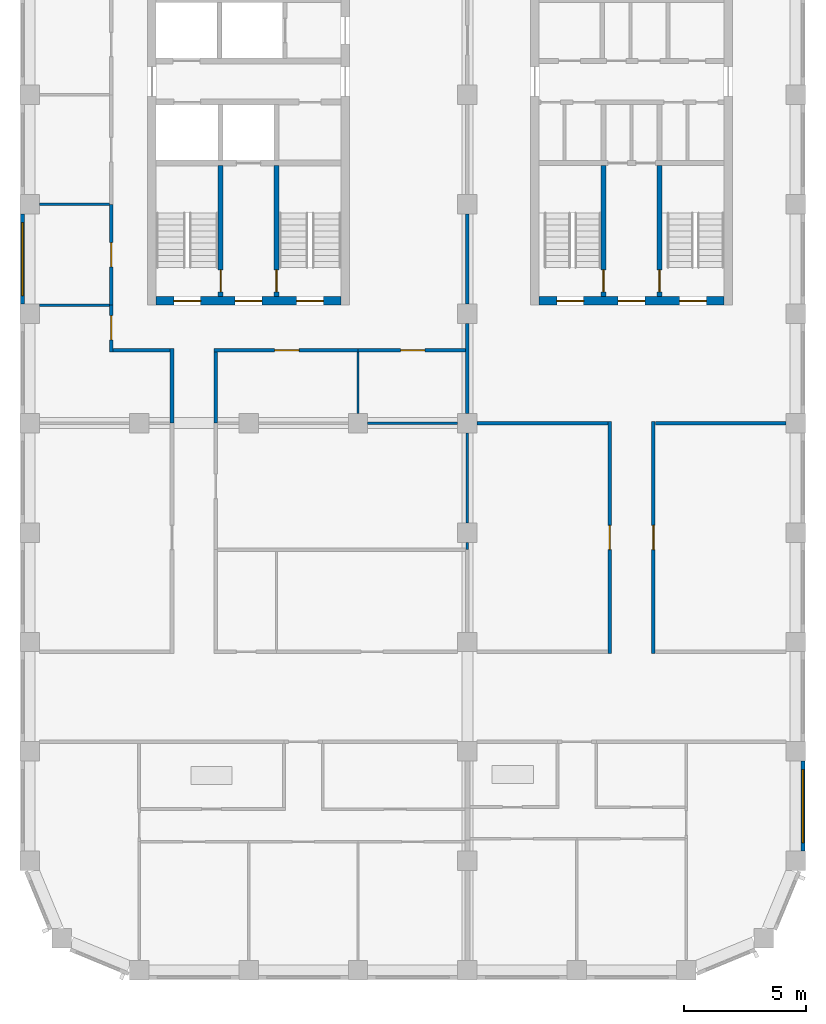
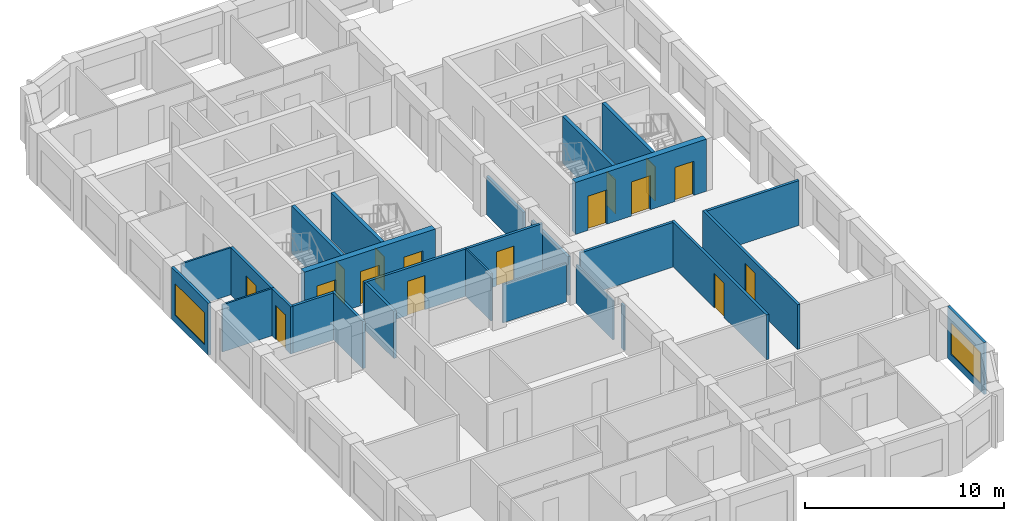
# One storey, part 4 of 10: 27 walls, 16 doors, 2 windows, 18 openings.
"""IFC4 building model written with IfcOpenShell, lengths in metres."""

from ifc_helpers import new_model, si_unit, direction, frame, frame_2d, origin, place, context, subcontext, project, spatial, rectangle, extrude, material, layer, layer_set, type_object, element, fill, save


model = new_model("IFC4")

# Units and contexts
model_context = context("Model", 3, precision=1e-05, world=origin(), true_north=direction((0.0, 1.0)))
body_context = subcontext(model_context, "Body", "Model", "MODEL_VIEW")
ifc_project = project(units=[si_unit("LENGTHUNIT", "METRE"), si_unit("AREAUNIT", "SQUARE_METRE"), si_unit("VOLUMEUNIT", "CUBIC_METRE"), si_unit("PLANEANGLEUNIT", "RADIAN"), si_unit("MASSUNIT", "GRAM", prefix="KILO")], contexts=[model_context])

# Site, building, storey
site_placement = place(None, origin())
site = spatial("IfcSite", under=ifc_project, at=site_placement, CompositionType="ELEMENT")
building_placement = place(site_placement, origin())
building = spatial("IfcBuilding", under=site, at=building_placement, Name="Girih Gate Residences", CompositionType="ELEMENT")
storey_placement = place(building_placement, frame((0.0, 0.0, 229.294921875)))
storey = spatial("IfcBuildingStorey", under=building, at=storey_placement, Name="L64", CompositionType="ELEMENT", Elevation=229.294921875)

# Walls
ifc_material_1 = material(Name="Gypsum board on steel studs", Category="steel")
ifc_layer_1 = layer(ifc_material_1, 0.14990234375)
ifc_layer_set_1 = layer_set([ifc_layer_1], Name="Compartment wall 150 mm")
wall_type_1 = type_object("IfcWallType", Name="Compartment wall 150 mm", PredefinedType="PARTITIONING", material=ifc_layer_set_1)
for number, where, z_axis, x_axis, name in (
    (1, (18.39990234375, 22.5, 0.0), (0.0, 0.0, 1.0), (1.0, 0.0, 0.0), "L64 partition"),
    (2, (25.72509765625, 22.5, 0.0), (0.0, 0.0, 1.0), (1.0, 0.0, 0.0), "L64 partition"),
):
    element("IfcWall", number, at=place(storey_placement, frame(where, z_axis=z_axis, x_axis=x_axis)), inside=storey, type_object=wall_type_1, Name=name, PredefinedType="PARTITIONING", context=body_context, shape_type="SweptSolid", body=[
        extrude(rectangle(XDim=5.375, YDim=0.14990234375, at=frame_2d((2.6875, 0.0))), origin(), (0.0, 0.0, 1.0), 2.75),
    ])
for number, where, z_axis, x_axis, name in (
    (3, (18.0, 27.39990234375, 0.0), (0.0, 0.0, 1.0), (0.0, 1.0, 0.0), "L64 partition"),
    (4, (18.0, 22.89990234375, 0.0), (0.0, 0.0, 1.0), (0.0, 1.0, 0.0), "L64 partition"),
):
    element("IfcWall", number, at=place(storey_placement, frame(where, z_axis=z_axis, x_axis=x_axis)), inside=storey, type_object=wall_type_1, Name=name, PredefinedType="PARTITIONING", context=body_context, shape_type="SweptSolid", body=[
        extrude(rectangle(XDim=3.7001953125, YDim=0.14990234375, at=frame_2d((1.85009765625, 0.0))), origin(), (0.0, 0.0, 1.0), 2.380126953125),
    ])

# Wall, opening, door
wall_1_placement = place(storey_placement, frame((23.85009765625, 13.02490234375, 0.0), z_axis=(0.0, 0.0, 1.0), x_axis=(0.0, 1.0, 0.0)))
wall_1 = element("IfcWall", 5, at=wall_1_placement, inside=storey, type_object=wall_type_1, Name="L64 partition", PredefinedType="PARTITIONING", context=body_context, shape_type="SweptSolid", body=[
    extrude(rectangle(XDim=9.550048828125, YDim=0.14990234375, at=frame_2d((4.77490234375, 0.0))), origin(), (0.0, 0.0, 1.0), 2.75),
])
opening_1_placement = place(wall_1_placement, frame((4.27490234375, 0.0, 0.0)))
opening_1 = element("IfcOpeningElement", 6, at=opening_1_placement, cuts=wall_1, Name="Opening A64-027", PredefinedType="OPENING", context=body_context, shape_type="SweptSolid", body=[
    extrude(rectangle(XDim=1.0, YDim=2.10009765625, at=frame_2d((0.5, 1.050048828125))), frame((0.0, 0.0849609375, 0.0), z_axis=(0.0, -1.0, 0.0), x_axis=(1.0, 0.0, 0.0)), (0.0, 0.0, 1.0), 0.169921875),
])
ifc_material_2 = material(Name="Timber, fire-rated core", Category="wood")
door_type_1 = type_object("IfcDoorType", Name="Amenity room door 1000x2100 FD30S", OperationType="NOTDEFINED", PredefinedType="DOOR", material=ifc_material_2)
door_1_placement = place(opening_1_placement, origin())
door_1 = element("IfcDoor", 7, at=door_1_placement, inside=storey, type_object=door_type_1, Name="Door A64-027", OperationType="SINGLE_SWING_RIGHT", OverallHeight=2.10009765625, OverallWidth=1.0, PredefinedType="DOOR", context=body_context, shape_type="SweptSolid", body=[
    extrude(rectangle(XDim=1.0, YDim=2.10009765625, at=frame_2d((0.5, 1.050048828125))), frame((0.0, 0.02490234375, 0.0), z_axis=(0.0, -1.0, 0.0), x_axis=(1.0, 0.0, 0.0)), (0.0, 0.0, 1.0), 0.050048828125),
])
fill(opening_1, door_1)

wall_2_placement = place(storey_placement, frame((25.64990234375, 22.574951171875, 0.0), z_axis=(0.0, 0.0, 1.0), x_axis=(0.0, -1.0, 0.0)))
wall_2 = element("IfcWall", 8, at=wall_2_placement, inside=storey, type_object=wall_type_1, Name="L64 partition", PredefinedType="PARTITIONING", context=body_context, shape_type="SweptSolid", body=[
    extrude(rectangle(XDim=9.550048828125, YDim=0.14990234375, at=frame_2d((4.77490234375, 0.0))), origin(), (0.0, 0.0, 1.0), 2.75),
])
opening_2_placement = place(wall_2_placement, frame((4.27490234375, 0.0, 0.0)))
opening_2 = element("IfcOpeningElement", 9, at=opening_2_placement, cuts=wall_2, Name="Opening A64-028", PredefinedType="OPENING", context=body_context, shape_type="SweptSolid", body=[
    extrude(rectangle(XDim=1.0, YDim=2.10009765625, at=frame_2d((0.5, 1.050048828125))), frame((0.0, 0.0849609375, 0.0), z_axis=(0.0, -1.0, 0.0), x_axis=(1.0, 0.0, 0.0)), (0.0, 0.0, 1.0), 0.169921875),
])
door_2_placement = place(opening_2_placement, origin())
door_2 = element("IfcDoor", 10, at=door_2_placement, inside=storey, type_object=door_type_1, Name="Door A64-028", OperationType="SINGLE_SWING_LEFT", OverallHeight=2.10009765625, OverallWidth=1.0, PredefinedType="DOOR", context=body_context, shape_type="SweptSolid", body=[
    extrude(rectangle(XDim=1.0, YDim=2.10009765625, at=frame_2d((0.5, 1.050048828125))), frame((0.0, 0.02490234375, 0.0), z_axis=(0.0, -1.0, 0.0), x_axis=(1.0, 0.0, 0.0)), (0.0, 0.0, 1.0), 0.050048828125),
])
fill(opening_2, door_2)

# Walls
wall_3_placement = place(storey_placement, frame((5.85009765625, 22.5, 0.0), z_axis=(0.0, 0.0, 1.0), x_axis=(0.0, 1.0, 0.0)))
element("IfcWall", 11, at=wall_3_placement, inside=storey, type_object=wall_type_1, Name="L64 partition", PredefinedType="PARTITIONING", context=body_context, shape_type="SweptSolid", body=[
    extrude(rectangle(XDim=3.074951171875, YDim=0.14990234375, at=frame_2d((1.53759765625, 0.0))), origin(), (0.0, 0.0, 1.0), 2.900146484375),
])
wall_4_placement = place(storey_placement, frame((3.425048828125, 25.5, 0.0), z_axis=(0.0, 0.0, 1.0), x_axis=(1.0, 0.0, 0.0)))
element("IfcWall", 12, at=wall_4_placement, inside=storey, type_object=wall_type_1, Name="L64 partition", PredefinedType="PARTITIONING", context=body_context, shape_type="SweptSolid", body=[
    extrude(rectangle(XDim=2.349853515625, YDim=0.14990234375, at=frame_2d((1.1748046875, 0.0))), origin(), (0.0, 0.0, 1.0), 2.900146484375),
])

# Wall, opening, door
wall_5_placement = place(storey_placement, frame((3.35009765625, 25.425048828125, 0.0), z_axis=(0.0, 0.0, 1.0), x_axis=(0.0, 1.0, 0.0)))
wall_5 = element("IfcWall", 13, at=wall_5_placement, inside=storey, type_object=wall_type_1, Name="L64 partition", PredefinedType="PARTITIONING", context=body_context, shape_type="SweptSolid", body=[
    extrude(rectangle(XDim=1.925048828125, YDim=0.14990234375, at=frame_2d((0.96240234375, 0.0))), origin(), (0.0, 0.0, 1.0), 2.900146484375),
])
opening_3_placement = place(wall_5_placement, frame((0.5, 0.0, 0.0)))
opening_3 = element("IfcOpeningElement", 14, at=opening_3_placement, cuts=wall_5, Name="Opening A64-031", PredefinedType="OPENING", context=body_context, shape_type="SweptSolid", body=[
    extrude(rectangle(XDim=1.0, YDim=2.10009765625, at=frame_2d((0.5, 1.050048828125))), frame((0.0, 0.0849609375, 0.0), z_axis=(0.0, -1.0, 0.0), x_axis=(1.0, 0.0, 0.0)), (0.0, 0.0, 1.0), 0.169921875),
])
door_3_placement = place(opening_3_placement, origin())
door_3 = element("IfcDoor", 15, at=door_3_placement, inside=storey, type_object=door_type_1, Name="Door A64-031", OperationType="SINGLE_SWING_RIGHT", OverallHeight=2.10009765625, OverallWidth=1.0, PredefinedType="DOOR", context=body_context, shape_type="SweptSolid", body=[
    extrude(rectangle(XDim=1.0, YDim=2.10009765625, at=frame_2d((0.5, 1.050048828125))), frame((0.0, 0.02490234375, 0.0), z_axis=(0.0, -1.0, 0.0), x_axis=(1.0, 0.0, 0.0)), (0.0, 0.0, 1.0), 0.050048828125),
])
fill(opening_3, door_3)

wall_6_placement = place(storey_placement, frame((13.5, 25.5, 0.0), z_axis=(0.0, 0.0, 1.0), x_axis=(-1.0, 0.0, 0.0)))
wall_6 = element("IfcWall", 16, at=wall_6_placement, inside=storey, type_object=wall_type_1, Name="L64 partition", PredefinedType="PARTITIONING", context=body_context, shape_type="SweptSolid", body=[
    extrude(rectangle(XDim=5.925048828125, YDim=0.14990234375, at=frame_2d((2.96240234375, 0.0))), origin(), (0.0, 0.0, 1.0), 2.900146484375),
])
opening_4_placement = place(wall_6_placement, frame((2.425048828125, 0.0, 0.0)))
opening_4 = element("IfcOpeningElement", 17, at=opening_4_placement, cuts=wall_6, Name="Opening A64-032", PredefinedType="OPENING", context=body_context, shape_type="SweptSolid", body=[
    extrude(rectangle(XDim=1.0, YDim=2.10009765625, at=frame_2d((0.5, 1.050048828125))), frame((0.0, 0.0849609375, 0.0), z_axis=(0.0, -1.0, 0.0), x_axis=(1.0, 0.0, 0.0)), (0.0, 0.0, 1.0), 0.169921875),
])
door_4_placement = place(opening_4_placement, origin())
door_4 = element("IfcDoor", 18, at=door_4_placement, inside=storey, type_object=door_type_1, Name="Door A64-032", OperationType="SINGLE_SWING_LEFT", OverallHeight=2.10009765625, OverallWidth=1.0, PredefinedType="DOOR", context=body_context, shape_type="SweptSolid", body=[
    extrude(rectangle(XDim=1.0, YDim=2.10009765625, at=frame_2d((0.5, 1.050048828125))), frame((0.0, 0.02490234375, 0.0), z_axis=(0.0, -1.0, 0.0), x_axis=(1.0, 0.0, 0.0)), (0.0, 0.0, 1.0), 0.050048828125),
])
fill(opening_4, door_4)

# Wall
wall_7_placement = place(storey_placement, frame((7.64990234375, 22.5, 0.0), z_axis=(0.0, 0.0, 1.0), x_axis=(0.0, 1.0, 0.0)))
element("IfcWall", 19, at=wall_7_placement, inside=storey, type_object=wall_type_1, Name="L64 partition", PredefinedType="PARTITIONING", context=body_context, shape_type="SweptSolid", body=[
    extrude(rectangle(XDim=2.925048828125, YDim=0.14990234375, at=frame_2d((1.46240234375, 0.0))), origin(), (0.0, 0.0, 1.0), 2.900146484375),
])

# Wall, opening, door
wall_8_placement = place(storey_placement, frame((17.925048828125, 25.5, 0.0), z_axis=(0.0, 0.0, 1.0), x_axis=(-1.0, 0.0, 0.0)))
wall_8 = element("IfcWall", 20, at=wall_8_placement, inside=storey, type_object=wall_type_1, Name="L64 partition", PredefinedType="PARTITIONING", context=body_context, shape_type="SweptSolid", body=[
    extrude(rectangle(XDim=4.425048828125, YDim=0.14990234375, at=frame_2d((2.21240234375, 0.0))), origin(), (0.0, 0.0, 1.0), 2.900146484375),
])
opening_5_placement = place(wall_8_placement, frame((1.675048828125, 0.0, 0.0)))
opening_5 = element("IfcOpeningElement", 21, at=opening_5_placement, cuts=wall_8, Name="Opening A64-033", PredefinedType="OPENING", context=body_context, shape_type="SweptSolid", body=[
    extrude(rectangle(XDim=1.0, YDim=2.10009765625, at=frame_2d((0.5, 1.050048828125))), frame((0.0, 0.0849609375, 0.0), z_axis=(0.0, -1.0, 0.0), x_axis=(1.0, 0.0, 0.0)), (0.0, 0.0, 1.0), 0.169921875),
])
door_5_placement = place(opening_5_placement, origin())
door_5 = element("IfcDoor", 22, at=door_5_placement, inside=storey, type_object=door_type_1, Name="Door A64-033", OperationType="SINGLE_SWING_LEFT", OverallHeight=2.10009765625, OverallWidth=1.0, PredefinedType="DOOR", context=body_context, shape_type="SweptSolid", body=[
    extrude(rectangle(XDim=1.0, YDim=2.10009765625, at=frame_2d((0.5, 1.050048828125))), frame((0.0, 0.02490234375, 0.0), z_axis=(0.0, -1.0, 0.0), x_axis=(1.0, 0.0, 0.0)), (0.0, 0.0, 1.0), 0.050048828125),
])
fill(opening_5, door_5)

wall_9_placement = place(storey_placement, frame((3.35009765625, 27.35009765625, 0.0), z_axis=(0.0, 0.0, 1.0), x_axis=(0.0, 1.0, 0.0)))
wall_9 = element("IfcWall", 23, at=wall_9_placement, inside=storey, type_object=wall_type_1, Name="L64 partition", PredefinedType="PARTITIONING", context=body_context, shape_type="SweptSolid", body=[
    extrude(rectangle(XDim=4.14990234375, YDim=0.14990234375, at=frame_2d((2.074951171875, 0.0))), origin(), (0.0, 0.0, 1.0), 2.900146484375),
])
opening_6_placement = place(wall_9_placement, frame((1.574951171875, 0.0, 0.0)))
opening_6 = element("IfcOpeningElement", 24, at=opening_6_placement, cuts=wall_9, Name="Opening A64-034", PredefinedType="OPENING", context=body_context, shape_type="SweptSolid", body=[
    extrude(rectangle(XDim=1.0, YDim=2.10009765625, at=frame_2d((0.5, 1.050048828125))), frame((0.0, 0.0849609375, 0.0), z_axis=(0.0, -1.0, 0.0), x_axis=(1.0, 0.0, 0.0)), (0.0, 0.0, 1.0), 0.169921875),
])
door_6_placement = place(opening_6_placement, origin())
door_6 = element("IfcDoor", 25, at=door_6_placement, inside=storey, type_object=door_type_1, Name="Door A64-034", OperationType="SINGLE_SWING_RIGHT", OverallHeight=2.10009765625, OverallWidth=1.0, PredefinedType="DOOR", context=body_context, shape_type="SweptSolid", body=[
    extrude(rectangle(XDim=1.0, YDim=2.10009765625, at=frame_2d((0.5, 1.050048828125))), frame((0.0, 0.02490234375, 0.0), z_axis=(0.0, -1.0, 0.0), x_axis=(1.0, 0.0, 0.0)), (0.0, 0.0, 1.0), 0.050048828125),
])
fill(opening_6, door_6)

# Wall, openings, doors
ifc_material_3 = material(Name="Concrete C60/75", Category="concrete")
ifc_layer_2 = layer(ifc_material_3, 0.35009765625)
ifc_layer_set_2 = layer_set([ifc_layer_2], Name="Core wall RC 350 Concrete C60/75")
wall_type_2 = type_object("IfcWallType", Name="Core wall RC 350 Concrete C60/75", PredefinedType="SOLIDWALL", material=ifc_layer_set_2)
wall_10_placement = place(storey_placement, frame((5.199951171875, 27.52490234375, 0.0), z_axis=(0.0, 0.0, 1.0), x_axis=(1.0, 0.0, 0.0)))
wall_10 = element("IfcWall", 26, at=wall_10_placement, inside=storey, type_object=wall_type_2, Name="Core wall W-S L64", PredefinedType="SOLIDWALL", context=body_context, shape_type="SweptSolid", body=[
    extrude(rectangle(XDim=7.60009765625, YDim=0.35009765625, at=frame_2d((3.800048828125, 0.0))), origin(), (0.0, 0.0, 1.0), 3.2001953125),
])
opening_7_placement = place(wall_10_placement, frame((0.72509765625, 0.0, 0.0)))
opening_7 = element("IfcOpeningElement", 27, at=opening_7_placement, cuts=wall_10, Name="Opening D-L64-W-008", PredefinedType="OPENING", context=body_context, shape_type="SweptSolid", body=[
    extrude(rectangle(XDim=1.10009765625, YDim=2.10009765625, at=frame_2d((0.550048828125, 1.050048828125))), frame((0.0, 0.18505859375, 0.0), z_axis=(0.0, -1.0, 0.0), x_axis=(1.0, 0.0, 0.0)), (0.0, 0.0, 1.0), 0.3701171875),
])
opening_8_placement = place(wall_10_placement, frame((3.25, 0.0, 0.0)))
opening_8 = element("IfcOpeningElement", 28, at=opening_8_placement, cuts=wall_10, Name="Opening D-L64-W-009", PredefinedType="OPENING", context=body_context, shape_type="SweptSolid", body=[
    extrude(rectangle(XDim=1.10009765625, YDim=2.10009765625, at=frame_2d((0.550048828125, 1.050048828125))), frame((0.0, 0.18505859375, 0.0), z_axis=(0.0, -1.0, 0.0), x_axis=(1.0, 0.0, 0.0)), (0.0, 0.0, 1.0), 0.3701171875),
])
opening_9_placement = place(wall_10_placement, frame((5.77490234375, 0.0, 0.0)))
opening_9 = element("IfcOpeningElement", 29, at=opening_9_placement, cuts=wall_10, Name="Opening D-L64-W-010", PredefinedType="OPENING", context=body_context, shape_type="SweptSolid", body=[
    extrude(rectangle(XDim=1.10009765625, YDim=2.10009765625, at=frame_2d((0.550048828125, 1.050048828125))), frame((0.0, 0.18505859375, 0.0), z_axis=(0.0, -1.0, 0.0), x_axis=(1.0, 0.0, 0.0)), (0.0, 0.0, 1.0), 0.3701171875),
])
ifc_material_4 = material(Name="Painted steel, fire-resisting", Category="steel")
door_type_2 = type_object("IfcDoorType", Name="Fire door 1100x2100", OperationType="SINGLE_SWING_LEFT", PredefinedType="DOOR", material=ifc_material_4)
door_7_placement = place(opening_7_placement, origin())
door_7 = element("IfcDoor", 30, at=door_7_placement, inside=storey, type_object=door_type_2, Name="L64 W core door sta-out", OperationType="SINGLE_SWING_LEFT", OverallHeight=2.10009765625, OverallWidth=1.10009765625, PredefinedType="DOOR", context=body_context, shape_type="SweptSolid", body=[
    extrude(rectangle(XDim=1.10009765625, YDim=2.10009765625, at=frame_2d((0.550048828125, 1.050048828125))), frame((0.0, 0.02490234375, 0.0), z_axis=(0.0, -1.0, 0.0), x_axis=(1.0, 0.0, 0.0)), (0.0, 0.0, 1.0), 0.050048828125),
])
fill(opening_7, door_7)
door_8_placement = place(opening_8_placement, origin())
door_8 = element("IfcDoor", 31, at=door_8_placement, inside=storey, type_object=door_type_2, Name="L64 W core door ffl-out", OperationType="SINGLE_SWING_LEFT", OverallHeight=2.10009765625, OverallWidth=1.10009765625, PredefinedType="DOOR", context=body_context, shape_type="SweptSolid", body=[
    extrude(rectangle(XDim=1.10009765625, YDim=2.10009765625, at=frame_2d((0.550048828125, 1.050048828125))), frame((0.0, 0.02490234375, 0.0), z_axis=(0.0, -1.0, 0.0), x_axis=(1.0, 0.0, 0.0)), (0.0, 0.0, 1.0), 0.050048828125),
])
fill(opening_8, door_8)
door_9_placement = place(opening_9_placement, origin())
door_9 = element("IfcDoor", 32, at=door_9_placement, inside=storey, type_object=door_type_2, Name="L64 W core door stb-out", OperationType="SINGLE_SWING_LEFT", OverallHeight=2.10009765625, OverallWidth=1.10009765625, PredefinedType="DOOR", context=body_context, shape_type="SweptSolid", body=[
    extrude(rectangle(XDim=1.10009765625, YDim=2.10009765625, at=frame_2d((0.550048828125, 1.050048828125))), frame((0.0, 0.02490234375, 0.0), z_axis=(0.0, -1.0, 0.0), x_axis=(1.0, 0.0, 0.0)), (0.0, 0.0, 1.0), 0.050048828125),
])
fill(opening_9, door_9)

# Walls
ifc_layer_3 = layer(ifc_material_1, 0.10009765625)
ifc_layer_set_3 = layer_set([ifc_layer_3], Name="Partition 100 mm")
wall_type_3 = type_object("IfcWallType", Name="Partition 100 mm", PredefinedType="PARTITIONING", material=ifc_layer_set_3)
wall_11_placement = place(storey_placement, frame((18.0, 18.39990234375, 0.0), z_axis=(0.0, 0.0, 1.0), x_axis=(0.0, 1.0, 0.0)))
element("IfcWall", 33, at=wall_11_placement, inside=storey, type_object=wall_type_3, Name="L64 partition", PredefinedType="PARTITIONING", context=body_context, shape_type="SweptSolid", body=[
    extrude(rectangle(XDim=3.7001953125, YDim=0.10009765625, at=frame_2d((1.85009765625, 0.0))), origin(), (0.0, 0.0, 1.0), 2.380126953125),
])
wall_12_placement = place(storey_placement, frame((18.0, 17.300048828125, 0.0), z_axis=(0.0, 0.0, 1.0), x_axis=(0.0, 1.0, 0.0)))
element("IfcWall", 34, at=wall_12_placement, inside=storey, type_object=wall_type_3, Name="L64 partition", PredefinedType="PARTITIONING", context=body_context, shape_type="SweptSolid", body=[
    extrude(rectangle(XDim=0.300048828125, YDim=0.10009765625, at=frame_2d((0.14990234375, 0.0))), origin(), (0.0, 0.0, 1.0), 2.75),
])
wall_13_placement = place(storey_placement, frame((13.89990234375, 22.5, 0.0), z_axis=(0.0, 0.0, 1.0), x_axis=(1.0, 0.0, 0.0)))
element("IfcWall", 35, at=wall_13_placement, inside=storey, type_object=wall_type_3, Name="L64 partition", PredefinedType="PARTITIONING", context=body_context, shape_type="SweptSolid", body=[
    extrude(rectangle(XDim=3.7001953125, YDim=0.10009765625, at=frame_2d((1.85009765625, 0.0))), origin(), (0.0, 0.0, 1.0), 2.380126953125),
])
wall_14_placement = place(storey_placement, frame((0.39990234375, 27.35009765625, 0.0), z_axis=(0.0, 0.0, 1.0), x_axis=(1.0, 0.0, 0.0)))
element("IfcWall", 36, at=wall_14_placement, inside=storey, type_object=wall_type_3, Name="L64 partition", PredefinedType="PARTITIONING", context=body_context, shape_type="SweptSolid", body=[
    extrude(rectangle(XDim=2.875, YDim=0.10009765625, at=frame_2d((1.4375, 0.0))), origin(), (0.0, 0.0, 1.0), 2.900146484375),
])
wall_15_placement = place(storey_placement, frame((13.5, 22.89990234375, 0.0), z_axis=(0.0, 0.0, 1.0), x_axis=(0.0, 1.0, 0.0)))
element("IfcWall", 37, at=wall_15_placement, inside=storey, type_object=wall_type_3, Name="L64 partition", PredefinedType="PARTITIONING", context=body_context, shape_type="SweptSolid", body=[
    extrude(rectangle(XDim=2.525146484375, YDim=0.10009765625, at=frame_2d((1.2626953125, 0.0))), origin(), (0.0, 0.0, 1.0), 2.900146484375),
])
wall_16_placement = place(storey_placement, frame((0.39990234375, 31.5, 0.0), z_axis=(0.0, 0.0, 1.0), x_axis=(1.0, 0.0, 0.0)))
element("IfcWall", 38, at=wall_16_placement, inside=storey, type_object=wall_type_3, Name="L64 partition", PredefinedType="PARTITIONING", context=body_context, shape_type="SweptSolid", body=[
    extrude(rectangle(XDim=2.875, YDim=0.10009765625, at=frame_2d((1.4375, 0.0))), origin(), (0.0, 0.0, 1.0), 2.900146484375),
])

# Wall, opening, window
ifc_material_5 = material(Name="Precast concrete C50/60", Category="concrete")
ifc_layer_4 = layer(ifc_material_5, 0.050048828125, Name="Outer leaf")
ifc_material_6 = material(Name="Rigid PIR insulation")
ifc_layer_5 = layer(ifc_material_6, 0.06005859375, Name="Insulation")
ifc_material_7 = material(Name="Precast concrete C40/50", Category="concrete")
ifc_layer_6 = layer(ifc_material_7, 0.0400390625, Name="Inner leaf")
ifc_layer_set_4 = layer_set([ifc_layer_4, ifc_layer_5, ifc_layer_6], Name="Precast concrete C50/60 external wall 150")
wall_type_4 = type_object("IfcWallType", Name="Precast concrete C50/60 external wall 150", PredefinedType="SOLIDWALL", material=ifc_layer_set_4)
wall_17_placement = place(storey_placement, frame((31.800048828125, 8.60009765625, 0.0), z_axis=(0.0, 0.0, 1.0), x_axis=(0.0, -1.0, 0.0)))
wall_17 = element("IfcWall", 39, at=wall_17_placement, inside=storey, type_object=wall_type_4, Name="External wall E0315_0045.0", PredefinedType="SOLIDWALL", context=body_context, shape_type="SweptSolid", body=[
    extrude(rectangle(XDim=3.7001953125, YDim=0.14990234375, at=frame_2d((1.85009765625, 0.0))), origin(), (0.0, 0.0, 1.0), 3.2001953125),
])
opening_10_placement = place(wall_17_placement, frame((0.35009765625, 0.0, 0.449951171875)))
opening_10 = element("IfcOpeningElement", 40, at=opening_10_placement, cuts=wall_17, Name="Opening W-1D", PredefinedType="OPENING", context=body_context, shape_type="SweptSolid", body=[
    extrude(rectangle(XDim=3.0, YDim=1.949951171875, at=frame_2d((1.5, 0.97509765625))), frame((0.0, 0.0849609375, 0.0), z_axis=(0.0, -1.0, 0.0), x_axis=(1.0, 0.0, 0.0)), (0.0, 0.0, 1.0), 0.169921875),
])
ifc_material_8 = material(Name="Double glazing in aluminium frame", Category="aluminium")
window_type = type_object("IfcWindowType", Name="Window W-1D 3000x1950", PartitioningType="SINGLE_PANEL", PredefinedType="WINDOW", material=ifc_material_8)
window_1_placement = place(opening_10_placement, origin())
window_1 = element("IfcWindow", 41, at=window_1_placement, inside=storey, type_object=window_type, Name="Window W-1D E0315_0045.0", OverallHeight=1.949951171875, OverallWidth=3.0, PartitioningType="SINGLE_PANEL", PredefinedType="WINDOW", context=body_context, shape_type="SweptSolid", body=[
    extrude(rectangle(XDim=3.0, YDim=1.949951171875, at=frame_2d((1.5, 0.97509765625))), frame((0.0, 0.030029296875, 0.0), z_axis=(0.0, -1.0, 0.0), x_axis=(1.0, 0.0, 0.0)), (0.0, 0.0, 1.0), 0.06005859375),
])
fill(opening_10, window_1)

wall_18_placement = place(storey_placement, frame((-0.300048828125, 27.39990234375, 0.0), z_axis=(0.0, 0.0, 1.0), x_axis=(0.0, 1.0, 0.0)))
wall_18 = element("IfcWall", 42, at=wall_18_placement, inside=storey, type_object=wall_type_4, Name="External wall W0000_0450.3", PredefinedType="SOLIDWALL", context=body_context, shape_type="SweptSolid", body=[
    extrude(rectangle(XDim=3.7001953125, YDim=0.14990234375, at=frame_2d((1.85009765625, 0.0))), origin(), (0.0, 0.0, 1.0), 3.2001953125),
])
opening_11_placement = place(wall_18_placement, frame((0.35009765625, 0.0, 0.449951171875)))
opening_11 = element("IfcOpeningElement", 43, at=opening_11_placement, cuts=wall_18, Name="Opening W-1D", PredefinedType="OPENING", context=body_context, shape_type="SweptSolid", body=[
    extrude(rectangle(XDim=3.0, YDim=1.949951171875, at=frame_2d((1.5, 0.97509765625))), frame((0.0, 0.0849609375, 0.0), z_axis=(0.0, -1.0, 0.0), x_axis=(1.0, 0.0, 0.0)), (0.0, 0.0, 1.0), 0.169921875),
])
window_2_placement = place(opening_11_placement, origin())
window_2 = element("IfcWindow", 44, at=window_2_placement, inside=storey, type_object=window_type, Name="Window W-1D W0000_0450.3", OverallHeight=1.949951171875, OverallWidth=3.0, PartitioningType="SINGLE_PANEL", PredefinedType="WINDOW", context=body_context, shape_type="SweptSolid", body=[
    extrude(rectangle(XDim=3.0, YDim=1.949951171875, at=frame_2d((1.5, 0.97509765625))), frame((0.0, 0.030029296875, 0.0), z_axis=(0.0, -1.0, 0.0), x_axis=(1.0, 0.0, 0.0)), (0.0, 0.0, 1.0), 0.06005859375),
])
fill(opening_11, window_2)

# Wall, opening, door
ifc_material_9 = material(Name="Concrete C40/50", Category="concrete")
ifc_layer_7 = layer(ifc_material_9, 0.199951171875)
ifc_layer_set_5 = layer_set([ifc_layer_7], Name="Shaft wall 200")
wall_type_5 = type_object("IfcWallType", Name="Shaft wall 200", PredefinedType="SOLIDWALL", material=ifc_layer_set_5)
wall_19_placement = place(storey_placement, frame((7.85009765625, 27.699951171875, 0.0), z_axis=(0.0, 0.0, 1.0), x_axis=(0.0, 1.0, 0.0)))
wall_19 = element("IfcWall", 45, at=wall_19_placement, inside=storey, type_object=wall_type_5, Name="L64 W core wall V1a", PredefinedType="SOLIDWALL", context=body_context, shape_type="SweptSolid", body=[
    extrude(rectangle(XDim=5.400146484375, YDim=0.199951171875, at=frame_2d((2.7001953125, 0.0))), origin(), (0.0, 0.0, 1.0), 2.900146484375),
])
opening_12_placement = place(wall_19_placement, frame((0.199951171875, 0.0, 0.0)))
opening_12 = element("IfcOpeningElement", 46, at=opening_12_placement, cuts=wall_19, Name="Opening D-L64-W-001", PredefinedType="OPENING", context=body_context, shape_type="SweptSolid", body=[
    extrude(rectangle(XDim=0.89990234375, YDim=2.10009765625, at=frame_2d((0.449951171875, 1.050048828125))), frame((0.0, 0.10986328125, 0.0), z_axis=(0.0, -1.0, 0.0), x_axis=(1.0, 0.0, 0.0)), (0.0, 0.0, 1.0), 0.219970703125),
])
door_type_3 = type_object("IfcDoorType", Name="Fire door 900x2100", OperationType="SINGLE_SWING_LEFT", PredefinedType="DOOR", material=ifc_material_4)
door_10_placement = place(opening_12_placement, origin())
door_10 = element("IfcDoor", 47, at=door_10_placement, inside=storey, type_object=door_type_3, Name="L64 W door stair 1 to firefighting lobby", OperationType="SINGLE_SWING_LEFT", OverallHeight=2.10009765625, OverallWidth=0.89990234375, PredefinedType="DOOR", context=body_context, shape_type="SweptSolid", body=[
    extrude(rectangle(XDim=0.89990234375, YDim=2.10009765625, at=frame_2d((0.449951171875, 1.050048828125))), frame((0.0, 0.02490234375, 0.0), z_axis=(0.0, -1.0, 0.0), x_axis=(1.0, 0.0, 0.0)), (0.0, 0.0, 1.0), 0.050048828125),
])
fill(opening_12, door_10)

wall_20_placement = place(storey_placement, frame((10.14990234375, 27.699951171875, 0.0), z_axis=(0.0, 0.0, 1.0), x_axis=(0.0, 1.0, 0.0)))
wall_20 = element("IfcWall", 48, at=wall_20_placement, inside=storey, type_object=wall_type_5, Name="L64 W core wall V2a", PredefinedType="SOLIDWALL", context=body_context, shape_type="SweptSolid", body=[
    extrude(rectangle(XDim=5.400146484375, YDim=0.199951171875, at=frame_2d((2.7001953125, 0.0))), origin(), (0.0, 0.0, 1.0), 2.900146484375),
])
opening_13_placement = place(wall_20_placement, frame((0.199951171875, 0.0, 0.0)))
opening_13 = element("IfcOpeningElement", 49, at=opening_13_placement, cuts=wall_20, Name="Opening D-L64-W-002", PredefinedType="OPENING", context=body_context, shape_type="SweptSolid", body=[
    extrude(rectangle(XDim=0.89990234375, YDim=2.10009765625, at=frame_2d((0.449951171875, 1.050048828125))), frame((0.0, 0.10986328125, 0.0), z_axis=(0.0, -1.0, 0.0), x_axis=(1.0, 0.0, 0.0)), (0.0, 0.0, 1.0), 0.219970703125),
])
door_11_placement = place(opening_13_placement, origin())
door_11 = element("IfcDoor", 50, at=door_11_placement, inside=storey, type_object=door_type_3, Name="L64 W door stair 2 to firefighting lobby", OperationType="SINGLE_SWING_LEFT", OverallHeight=2.10009765625, OverallWidth=0.89990234375, PredefinedType="DOOR", context=body_context, shape_type="SweptSolid", body=[
    extrude(rectangle(XDim=0.89990234375, YDim=2.10009765625, at=frame_2d((0.449951171875, 1.050048828125))), frame((0.0, 0.02490234375, 0.0), z_axis=(0.0, -1.0, 0.0), x_axis=(1.0, 0.0, 0.0)), (0.0, 0.0, 1.0), 0.050048828125),
])
fill(opening_13, door_11)

wall_21_placement = place(storey_placement, frame((23.60009765625, 27.699951171875, 0.0), z_axis=(0.0, 0.0, 1.0), x_axis=(0.0, 1.0, 0.0)))
wall_21 = element("IfcWall", 51, at=wall_21_placement, inside=storey, type_object=wall_type_5, Name="L64 C core wall V1a", PredefinedType="SOLIDWALL", context=body_context, shape_type="SweptSolid", body=[
    extrude(rectangle(XDim=5.400146484375, YDim=0.199951171875, at=frame_2d((2.7001953125, 0.0))), origin(), (0.0, 0.0, 1.0), 2.900146484375),
])
opening_14_placement = place(wall_21_placement, frame((0.199951171875, 0.0, 0.0)))
opening_14 = element("IfcOpeningElement", 52, at=opening_14_placement, cuts=wall_21, Name="Opening D-L64-C-001", PredefinedType="OPENING", context=body_context, shape_type="SweptSolid", body=[
    extrude(rectangle(XDim=0.89990234375, YDim=2.10009765625, at=frame_2d((0.449951171875, 1.050048828125))), frame((0.0, 0.10986328125, 0.0), z_axis=(0.0, -1.0, 0.0), x_axis=(1.0, 0.0, 0.0)), (0.0, 0.0, 1.0), 0.219970703125),
])
door_12_placement = place(opening_14_placement, origin())
door_12 = element("IfcDoor", 53, at=door_12_placement, inside=storey, type_object=door_type_3, Name="L64 C door stair 1 to stair lobby", OperationType="SINGLE_SWING_LEFT", OverallHeight=2.10009765625, OverallWidth=0.89990234375, PredefinedType="DOOR", context=body_context, shape_type="SweptSolid", body=[
    extrude(rectangle(XDim=0.89990234375, YDim=2.10009765625, at=frame_2d((0.449951171875, 1.050048828125))), frame((0.0, 0.02490234375, 0.0), z_axis=(0.0, -1.0, 0.0), x_axis=(1.0, 0.0, 0.0)), (0.0, 0.0, 1.0), 0.050048828125),
])
fill(opening_14, door_12)

wall_22_placement = place(storey_placement, frame((25.89990234375, 27.699951171875, 0.0), z_axis=(0.0, 0.0, 1.0), x_axis=(0.0, 1.0, 0.0)))
wall_22 = element("IfcWall", 54, at=wall_22_placement, inside=storey, type_object=wall_type_5, Name="L64 C core wall V2a", PredefinedType="SOLIDWALL", context=body_context, shape_type="SweptSolid", body=[
    extrude(rectangle(XDim=5.400146484375, YDim=0.199951171875, at=frame_2d((2.7001953125, 0.0))), origin(), (0.0, 0.0, 1.0), 2.900146484375),
])
opening_15_placement = place(wall_22_placement, frame((0.199951171875, 0.0, 0.0)))
opening_15 = element("IfcOpeningElement", 55, at=opening_15_placement, cuts=wall_22, Name="Opening D-L64-C-002", PredefinedType="OPENING", context=body_context, shape_type="SweptSolid", body=[
    extrude(rectangle(XDim=0.89990234375, YDim=2.10009765625, at=frame_2d((0.449951171875, 1.050048828125))), frame((0.0, 0.10986328125, 0.0), z_axis=(0.0, -1.0, 0.0), x_axis=(1.0, 0.0, 0.0)), (0.0, 0.0, 1.0), 0.219970703125),
])
door_13_placement = place(opening_15_placement, origin())
door_13 = element("IfcDoor", 56, at=door_13_placement, inside=storey, type_object=door_type_3, Name="L64 C door stair 2 to stair lobby", OperationType="SINGLE_SWING_LEFT", OverallHeight=2.10009765625, OverallWidth=0.89990234375, PredefinedType="DOOR", context=body_context, shape_type="SweptSolid", body=[
    extrude(rectangle(XDim=0.89990234375, YDim=2.10009765625, at=frame_2d((0.449951171875, 1.050048828125))), frame((0.0, 0.02490234375, 0.0), z_axis=(0.0, -1.0, 0.0), x_axis=(1.0, 0.0, 0.0)), (0.0, 0.0, 1.0), 0.050048828125),
])
fill(opening_15, door_13)

# Wall, openings, doors
ifc_layer_8 = layer(ifc_material_9, 0.35009765625)
ifc_layer_set_6 = layer_set([ifc_layer_8], Name="Stair core wall RC 350 Concrete C40/50")
wall_type_6 = type_object("IfcWallType", Name="Stair core wall RC 350 Concrete C40/50", PredefinedType="SOLIDWALL", material=ifc_layer_set_6)
wall_23_placement = place(storey_placement, frame((20.949951171875, 27.52490234375, 0.0), z_axis=(0.0, 0.0, 1.0), x_axis=(1.0, 0.0, 0.0)))
wall_23 = element("IfcWall", 57, at=wall_23_placement, inside=storey, type_object=wall_type_6, Name="Stair core wall C-S L64", PredefinedType="SOLIDWALL", context=body_context, shape_type="SweptSolid", body=[
    extrude(rectangle(XDim=7.60009765625, YDim=0.35009765625, at=frame_2d((3.800048828125, 0.0))), origin(), (0.0, 0.0, 1.0), 3.2001953125),
])
opening_16_placement = place(wall_23_placement, frame((0.72509765625, 0.0, 0.0)))
opening_16 = element("IfcOpeningElement", 58, at=opening_16_placement, cuts=wall_23, Name="Opening D-L64-C-013", PredefinedType="OPENING", context=body_context, shape_type="SweptSolid", body=[
    extrude(rectangle(XDim=1.10009765625, YDim=2.10009765625, at=frame_2d((0.550048828125, 1.050048828125))), frame((0.0, 0.18505859375, 0.0), z_axis=(0.0, -1.0, 0.0), x_axis=(1.0, 0.0, 0.0)), (0.0, 0.0, 1.0), 0.3701171875),
])
opening_17_placement = place(wall_23_placement, frame((3.25, 0.0, 0.0)))
opening_17 = element("IfcOpeningElement", 59, at=opening_17_placement, cuts=wall_23, Name="Opening D-L64-C-014", PredefinedType="OPENING", context=body_context, shape_type="SweptSolid", body=[
    extrude(rectangle(XDim=1.10009765625, YDim=2.10009765625, at=frame_2d((0.550048828125, 1.050048828125))), frame((0.0, 0.18505859375, 0.0), z_axis=(0.0, -1.0, 0.0), x_axis=(1.0, 0.0, 0.0)), (0.0, 0.0, 1.0), 0.3701171875),
])
opening_18_placement = place(wall_23_placement, frame((5.77490234375, 0.0, 0.0)))
opening_18 = element("IfcOpeningElement", 60, at=opening_18_placement, cuts=wall_23, Name="Opening D-L64-C-015", PredefinedType="OPENING", context=body_context, shape_type="SweptSolid", body=[
    extrude(rectangle(XDim=1.10009765625, YDim=2.10009765625, at=frame_2d((0.550048828125, 1.050048828125))), frame((0.0, 0.18505859375, 0.0), z_axis=(0.0, -1.0, 0.0), x_axis=(1.0, 0.0, 0.0)), (0.0, 0.0, 1.0), 0.3701171875),
])
door_14_placement = place(opening_16_placement, origin())
door_14 = element("IfcDoor", 61, at=door_14_placement, inside=storey, type_object=door_type_2, Name="L64 C core door sta-out", OperationType="SINGLE_SWING_LEFT", OverallHeight=2.10009765625, OverallWidth=1.10009765625, PredefinedType="DOOR", context=body_context, shape_type="SweptSolid", body=[
    extrude(rectangle(XDim=1.10009765625, YDim=2.10009765625, at=frame_2d((0.550048828125, 1.050048828125))), frame((0.0, 0.02490234375, 0.0), z_axis=(0.0, -1.0, 0.0), x_axis=(1.0, 0.0, 0.0)), (0.0, 0.0, 1.0), 0.050048828125),
])
fill(opening_16, door_14)
door_15_placement = place(opening_17_placement, origin())
door_15 = element("IfcDoor", 62, at=door_15_placement, inside=storey, type_object=door_type_2, Name="L64 C core door ffl-out", OperationType="SINGLE_SWING_LEFT", OverallHeight=2.10009765625, OverallWidth=1.10009765625, PredefinedType="DOOR", context=body_context, shape_type="SweptSolid", body=[
    extrude(rectangle(XDim=1.10009765625, YDim=2.10009765625, at=frame_2d((0.550048828125, 1.050048828125))), frame((0.0, 0.02490234375, 0.0), z_axis=(0.0, -1.0, 0.0), x_axis=(1.0, 0.0, 0.0)), (0.0, 0.0, 1.0), 0.050048828125),
])
fill(opening_17, door_15)
door_16_placement = place(opening_18_placement, origin())
door_16 = element("IfcDoor", 63, at=door_16_placement, inside=storey, type_object=door_type_2, Name="L64 C core door stb-out", OperationType="SINGLE_SWING_LEFT", OverallHeight=2.10009765625, OverallWidth=1.10009765625, PredefinedType="DOOR", context=body_context, shape_type="SweptSolid", body=[
    extrude(rectangle(XDim=1.10009765625, YDim=2.10009765625, at=frame_2d((0.550048828125, 1.050048828125))), frame((0.0, 0.02490234375, 0.0), z_axis=(0.0, -1.0, 0.0), x_axis=(1.0, 0.0, 0.0)), (0.0, 0.0, 1.0), 0.050048828125),
])
fill(opening_18, door_16)

save(model, "model.ifc")
